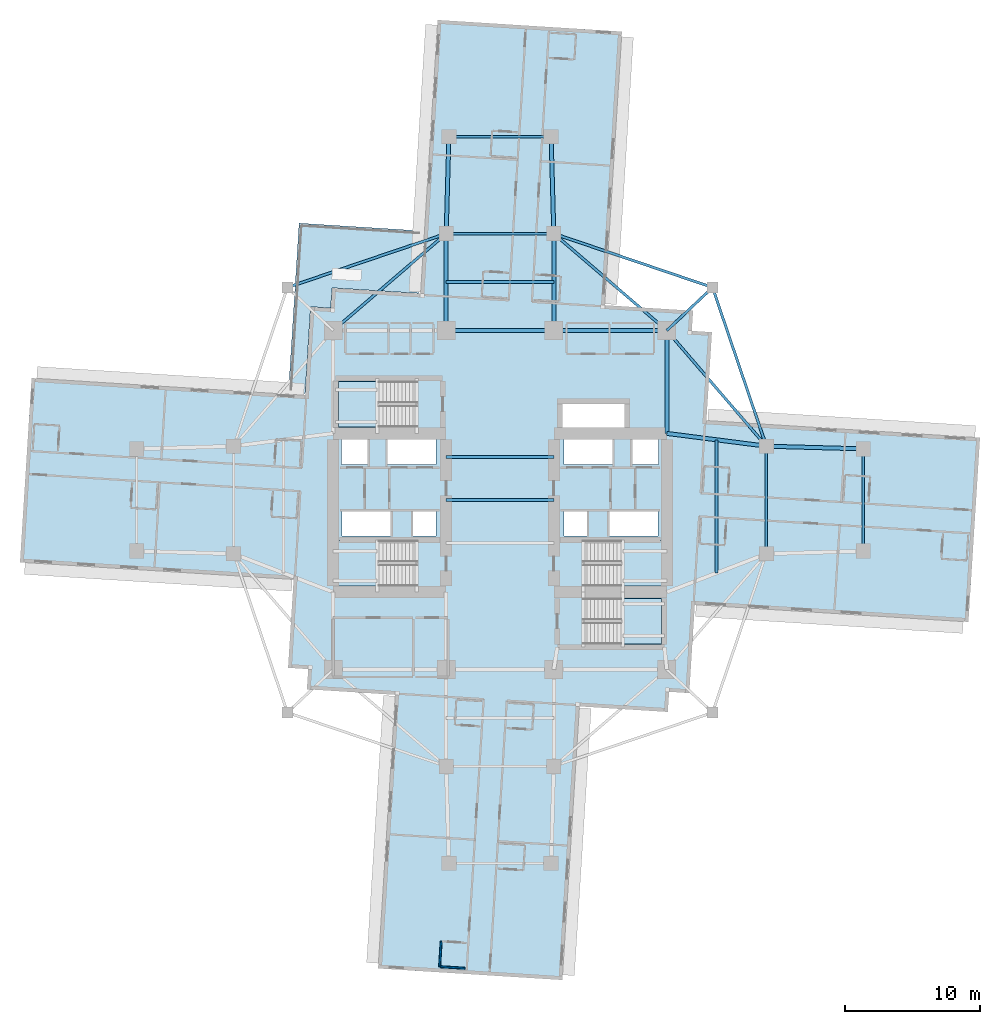
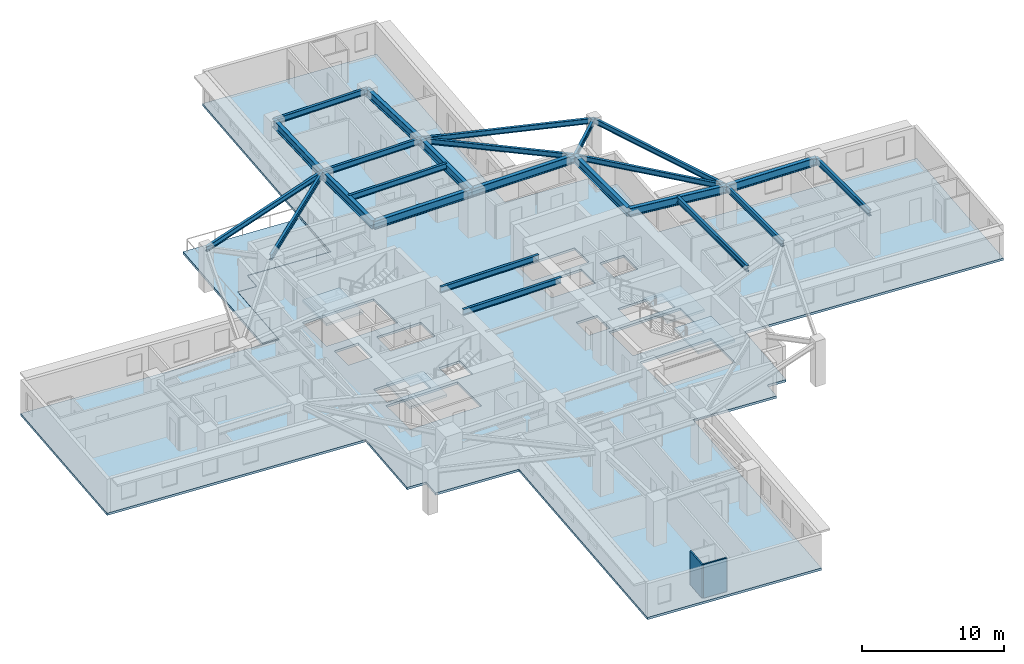
# One storey, part 2 of 14: 24 beams, 6 slabs, 2 walls, 4 elements without a shape of their own.
"""IFC4 building model written with IfcOpenShell, lengths in metres."""

from ifc_helpers import new_model, si_unit, direction, frame, frame_2d, origin, origin_2d, place, context, subcontext, project, spatial, polyline, rectangle, i_section, outline, extrude, material, layer, layer_set, material_profile, profile_set, type_object, element, aggregate, save


model = new_model("IFC4")

# Units and contexts
model_context = context("Model", 3, precision=1e-05, world=origin(), true_north=direction((0.0, 1.0)))
body_context = subcontext(model_context, "Body", "Model", "MODEL_VIEW")
ifc_project = project(units=[si_unit("LENGTHUNIT", "METRE"), si_unit("AREAUNIT", "SQUARE_METRE"), si_unit("VOLUMEUNIT", "CUBIC_METRE"), si_unit("PLANEANGLEUNIT", "RADIAN"), si_unit("MASSUNIT", "GRAM", prefix="KILO")], contexts=[model_context])

# Site, building, storey
site_placement = place(None, origin())
site = spatial("IfcSite", under=ifc_project, at=site_placement, CompositionType="ELEMENT")
building_placement = place(site_placement, origin())
building = spatial("IfcBuilding", under=site, at=building_placement, Name="Qingluan Cross Belvedere", CompositionType="ELEMENT")
storey_placement = place(building_placement, frame((0.0, 0.0, 87.300048828125)))
storey = spatial("IfcBuildingStorey", under=building, at=storey_placement, Name="L22", CompositionType="ELEMENT", Elevation=87.300048828125)

# Beams
ifc_material_1 = material(Name="Steel Q420GJB", Category="steel")
ifc_material_profile_1 = material_profile(ifc_material_1, i_section(OverallWidth=0.199951171875, OverallDepth=0.449951171875, WebThickness=0.009033203125, FlangeThickness=0.013916015625, FilletRadius=0.01611328125, at=origin_2d()), Name="HN450x200x9x14")
ifc_profile_set_1 = profile_set([ifc_material_profile_1], Name="Steel Q420GJB")
beam_type_1 = type_object("IfcBeamType", Name="Steel_Beam_HN450x200x9x14", PredefinedType="JOIST", material=ifc_profile_set_1)
beam_1_placement = place(storey_placement, frame((12.39990234375, 12.60009765625, 3.474853515625), z_axis=(0.728219948308, 0.685343495546, 0.0), x_axis=(-0.685343495546, 0.728219948308, 0.0)))
element("IfcBeam", 1, at=beam_1_placement, inside=storey, type_object=beam_type_1, Name="Corner beam 1 L22-RNE", PredefinedType="JOIST", context=body_context, shape_type="SweptSolid", body=[
    extrude(i_section(OverallWidth=0.199951171875, OverallDepth=0.449951171875, WebThickness=0.009033203125, FlangeThickness=0.013916015625, FilletRadius=0.01611328125, at=origin_2d()), origin(), (0.0, 0.0, 1.0), 4.669189453125),
])
for number, where, z_axis, x_axis, name in (
    (2, (15.800048828125, 15.800048828125, 3.474853515625), (-0.947066283324, 0.321038089628, 0.0), (-0.321038089628, -0.947066283324, 0.0), "Corner beam 2 L22-RNE"),
    (3, (15.800048828125, 15.800048828125, 3.474853515625), (0.321038089628, -0.947066283324, 0.0), (0.947066283324, 0.321038089628, 0.0), "Corner beam 3 L22-RNE"),
):
    element("IfcBeam", number, at=place(storey_placement, frame(where, z_axis=z_axis, x_axis=x_axis)), inside=storey, type_object=beam_type_1, Name=name, PredefinedType="JOIST", context=body_context, shape_type="SweptSolid", body=[
        extrude(i_section(OverallWidth=0.199951171875, OverallDepth=0.449951171875, WebThickness=0.009033203125, FlangeThickness=0.013916015625, FilletRadius=0.01611328125, at=origin_2d()), origin(), (0.0, 0.0, 1.0), 12.45947265625),
    ])
beam_2_placement = place(storey_placement, frame((12.39990234375, 12.60009765625, 3.474853515625), z_axis=(0.652245077546, -0.75800815221, 0.0), x_axis=(0.75800815221, 0.652245077546, 0.0)))
element("IfcBeam", 4, at=beam_2_placement, inside=storey, type_object=beam_type_1, Name="Corner beam 4 L22-RNE", PredefinedType="JOIST", context=body_context, shape_type="SweptSolid", body=[
    extrude(i_section(OverallWidth=0.199951171875, OverallDepth=0.449951171875, WebThickness=0.009033203125, FlangeThickness=0.013916015625, FilletRadius=0.01611328125, at=origin_2d()), origin(), (0.0, 0.0, 1.0), 11.345703125),
])
beam_3_placement = place(storey_placement, frame((12.39990234375, 12.60009765625, 3.474853515625), z_axis=(-0.759255044656, 0.650793190779, 0.0), x_axis=(-0.650793190779, -0.759255044656, 0.0)))
element("IfcBeam", 5, at=beam_3_placement, inside=storey, type_object=beam_type_1, Name="Corner beam 5 L22-RNE", PredefinedType="JOIST", context=body_context, shape_type="SweptSolid", body=[
    extrude(i_section(OverallWidth=0.199951171875, OverallDepth=0.449951171875, WebThickness=0.009033203125, FlangeThickness=0.013916015625, FilletRadius=0.01611328125, at=origin_2d()), origin(), (0.0, 0.0, 1.0), 11.063232421875),
])
beam_4_placement = place(storey_placement, frame((-15.800048828125, 15.800048828125, 3.454833984375), z_axis=(0.947066283324, 0.321038089628, 0.0), x_axis=(-0.321038089628, 0.947066283324, 0.0)))
element("IfcBeam", 6, at=beam_4_placement, inside=storey, type_object=beam_type_1, Name="Corner beam 2 L22-RNW", PredefinedType="JOIST", context=body_context, shape_type="SweptSolid", body=[
    extrude(i_section(OverallWidth=0.199951171875, OverallDepth=0.449951171875, WebThickness=0.009033203125, FlangeThickness=0.013916015625, FilletRadius=0.01611328125, at=origin_2d()), origin(), (0.0, 0.0, 1.0), 12.45947265625),
])
beam_5_placement = place(storey_placement, frame((-12.39990234375, 12.60009765625, 3.454833984375), z_axis=(0.759255044656, 0.650793190779, 0.0), x_axis=(-0.650793190779, 0.759255044656, 0.0)))
element("IfcBeam", 7, at=beam_5_placement, inside=storey, type_object=beam_type_1, Name="Corner beam 5 L22-RNW", PredefinedType="JOIST", context=body_context, shape_type="SweptSolid", body=[
    extrude(i_section(OverallWidth=0.199951171875, OverallDepth=0.449951171875, WebThickness=0.009033203125, FlangeThickness=0.013916015625, FilletRadius=0.01611328125, at=origin_2d()), origin(), (0.0, 0.0, 1.0), 11.063232421875),
])
ifc_material_2 = material(Name="Steel Q420GJB", Category="steel")
ifc_material_profile_2 = material_profile(ifc_material_2, i_section(OverallWidth=0.199951171875, OverallDepth=0.5, WebThickness=0.010009765625, FlangeThickness=0.01611328125, FilletRadius=0.01611328125, at=origin_2d()), Name="HN500x200x10x16")
ifc_profile_set_2 = profile_set([ifc_material_profile_2], Name="Steel Q420GJB")
beam_type_2 = type_object("IfcBeamType", Name="Steel_Beam_HN500x200x10x16", PredefinedType="JOIST", material=ifc_profile_set_2)
for number, where, z_axis, x_axis, name in (
    (8, (-4.0, 0.0, 3.449951171875), (1.0, 0.0, 0.0), (0.0, 1.0, 0.0), "Hall beam L22-CH2"),
    (9, (-4.0, 3.199951171875, 3.449951171875), (1.0, 0.0, 0.0), (0.0, 1.0, 0.0), "Hall beam L22-CH3"),
    (10, (19.800048828125, -4.0, 3.449951171875), (0.0, 1.0, 0.0), (-1.0, 0.0, 0.0), "Arm E tie L22"),
):
    element("IfcBeam", number, at=place(storey_placement, frame(where, z_axis=z_axis, x_axis=x_axis)), inside=storey, type_object=beam_type_2, Name=name, PredefinedType="JOIST", context=body_context, shape_type="SweptSolid", body=[
        extrude(i_section(OverallWidth=0.199951171875, OverallDepth=0.5, WebThickness=0.010009765625, FlangeThickness=0.01611328125, FilletRadius=0.01611328125, at=origin_2d()), origin(), (0.0, 0.0, 1.0), 8.0),
    ])
beam_6_placement = place(storey_placement, frame((16.10009765625, -5.425048828125, 3.449951171875), z_axis=(0.0, 1.0, 0.0), x_axis=(-1.0, 0.0, 0.0)))
element("IfcBeam", 11, at=beam_6_placement, inside=storey, type_object=beam_type_2, Name="Arm E beam L22", PredefinedType="JOIST", context=body_context, shape_type="SweptSolid", body=[
    extrude(i_section(OverallWidth=0.199951171875, OverallDepth=0.5, WebThickness=0.010009765625, FlangeThickness=0.01611328125, FilletRadius=0.01611328125, at=origin_2d()), origin(), (0.0, 0.0, 1.0), 9.900146484375),
])
beam_7_placement = place(storey_placement, frame((27.0, -3.800048828125, 3.449951171875), z_axis=(0.0, 1.0, 0.0), x_axis=(-1.0, 0.0, 0.0)))
element("IfcBeam", 12, at=beam_7_placement, inside=storey, type_object=beam_type_2, Name="Arm E tip transverse beam L22", PredefinedType="JOIST", context=body_context, shape_type="SweptSolid", body=[
    extrude(i_section(OverallWidth=0.199951171875, OverallDepth=0.5, WebThickness=0.010009765625, FlangeThickness=0.01611328125, FilletRadius=0.01611328125, at=origin_2d()), origin(), (0.0, 0.0, 1.0), 7.60009765625),
])
for number, where, z_axis, x_axis, name in (
    (13, (-4.0, 19.800048828125, 3.449951171875), (1.0, 0.0, 0.0), (0.0, 1.0, 0.0), "Arm N tie L22"),
    (14, (-4.0, 16.199951171875, 3.449951171875), (1.0, 0.0, 0.0), (0.0, 1.0, 0.0), "Arm N beam L22"),
):
    element("IfcBeam", number, at=place(storey_placement, frame(where, z_axis=z_axis, x_axis=x_axis)), inside=storey, type_object=beam_type_2, Name=name, PredefinedType="JOIST", context=body_context, shape_type="SweptSolid", body=[
        extrude(i_section(OverallWidth=0.199951171875, OverallDepth=0.5, WebThickness=0.010009765625, FlangeThickness=0.01611328125, FilletRadius=0.01611328125, at=origin_2d()), origin(), (0.0, 0.0, 1.0), 8.0),
    ])
beam_8_placement = place(storey_placement, frame((-3.800048828125, 27.0, 3.449951171875), z_axis=(1.0, 0.0, 0.0), x_axis=(0.0, 1.0, 0.0)))
element("IfcBeam", 15, at=beam_8_placement, inside=storey, type_object=beam_type_2, Name="Arm N tip transverse beam L22", PredefinedType="JOIST", context=body_context, shape_type="SweptSolid", body=[
    extrude(i_section(OverallWidth=0.199951171875, OverallDepth=0.5, WebThickness=0.010009765625, FlangeThickness=0.01611328125, FilletRadius=0.01611328125, at=origin_2d()), origin(), (0.0, 0.0, 1.0), 7.60009765625),
])
ifc_material_3 = material(Name="Steel Q420GJB", Category="steel")
ifc_material_profile_3 = material_profile(ifc_material_3, i_section(OverallWidth=0.300048828125, OverallDepth=0.699951171875, WebThickness=0.014892578125, FlangeThickness=0.027099609375, FilletRadius=0.027099609375, at=origin_2d()), Name="HEB700")
ifc_profile_set_3 = profile_set([ifc_material_profile_3], Name="Steel Q420GJB")
beam_type_3 = type_object("IfcBeamType", Name="Steel_Girder_HEB700", PredefinedType="USERDEFINED", material=ifc_profile_set_3)
beam_9_placement = place(storey_placement, frame((-4.0, 12.60009765625, 3.349853515625), z_axis=(1.0, 0.0, 0.0), x_axis=(0.0, 1.0, 0.0)))
element("IfcBeam", 16, at=beam_9_placement, inside=storey, type_object=beam_type_3, Name="Hub girder L22-HG-N2", ObjectType="GIRDER", PredefinedType="USERDEFINED", context=body_context, shape_type="SweptSolid", body=[
    extrude(i_section(OverallWidth=0.300048828125, OverallDepth=0.699951171875, WebThickness=0.014892578125, FlangeThickness=0.027099609375, FilletRadius=0.027099609375, at=origin_2d()), origin(), (0.0, 0.0, 1.0), 8.0),
])
beam_10_placement = place(storey_placement, frame((4.0, 12.60009765625, 3.349853515625), z_axis=(1.0, 0.0, 0.0), x_axis=(0.0, 1.0, 0.0)))
element("IfcBeam", 17, at=beam_10_placement, inside=storey, type_object=beam_type_3, Name="Hub girder L22-HG-N3", ObjectType="GIRDER", PredefinedType="USERDEFINED", context=body_context, shape_type="SweptSolid", body=[
    extrude(i_section(OverallWidth=0.300048828125, OverallDepth=0.699951171875, WebThickness=0.014892578125, FlangeThickness=0.027099609375, FilletRadius=0.027099609375, at=origin_2d()), origin(), (0.0, 0.0, 1.0), 8.39990234375),
])
beam_11_placement = place(storey_placement, frame((12.39990234375, 4.949951171875, 3.349853515625), z_axis=(0.0, 1.0, 0.0), x_axis=(-1.0, 0.0, 0.0)))
element("IfcBeam", 18, at=beam_11_placement, inside=storey, type_object=beam_type_3, Name="Hub girder L22-HG-E2", ObjectType="GIRDER", PredefinedType="USERDEFINED", context=body_context, shape_type="SweptSolid", body=[
    extrude(i_section(OverallWidth=0.300048828125, OverallDepth=0.699951171875, WebThickness=0.014892578125, FlangeThickness=0.027099609375, FilletRadius=0.027099609375, at=origin_2d()), origin(), (0.0, 0.0, 1.0), 7.650146484375),
])
beam_12_placement = place(storey_placement, frame((12.39990234375, 4.949951171875, 3.349853515625), z_axis=(0.991861120628, -0.12732445714, 0.0), x_axis=(0.12732445714, 0.991861120628, 0.0)))
element("IfcBeam", 19, at=beam_12_placement, inside=storey, type_object=beam_type_3, Name="Arm E radial girder B L22", ObjectType="GIRDER", PredefinedType="USERDEFINED", context=body_context, shape_type="SweptSolid", body=[
    extrude(i_section(OverallWidth=0.300048828125, OverallDepth=0.699951171875, WebThickness=0.014892578125, FlangeThickness=0.027099609375, FilletRadius=0.027099609375, at=origin_2d()), origin(), (0.0, 0.0, 1.0), 7.4609375),
])
beam_13_placement = place(storey_placement, frame((19.800048828125, 4.0, 3.349853515625), z_axis=(0.999614603568, -0.027760481514, 0.0), x_axis=(0.027760481514, 0.999614603568, 0.0)))
element("IfcBeam", 20, at=beam_13_placement, inside=storey, type_object=beam_type_3, Name="Arm E outer radial girder B L22", ObjectType="GIRDER", PredefinedType="USERDEFINED", context=body_context, shape_type="SweptSolid", body=[
    extrude(i_section(OverallWidth=0.300048828125, OverallDepth=0.699951171875, WebThickness=0.014892578125, FlangeThickness=0.027099609375, FilletRadius=0.027099609375, at=origin_2d()), origin(), (0.0, 0.0, 1.0), 7.20263671875),
])
for number, where, z_axis, x_axis, name in (
    (21, (-4.0, 12.60009765625, 3.349853515625), (0.0, 1.0, 0.0), (-1.0, 0.0, 0.0), "Arm N radial girder A L22"),
    (22, (4.0, 12.60009765625, 3.349853515625), (0.0, 1.0, 0.0), (-1.0, 0.0, 0.0), "Arm N radial girder B L22"),
):
    element("IfcBeam", number, at=place(storey_placement, frame(where, z_axis=z_axis, x_axis=x_axis)), inside=storey, type_object=beam_type_3, Name=name, ObjectType="GIRDER", PredefinedType="USERDEFINED", context=body_context, shape_type="SweptSolid", body=[
        extrude(i_section(OverallWidth=0.300048828125, OverallDepth=0.699951171875, WebThickness=0.014892578125, FlangeThickness=0.027099609375, FilletRadius=0.027099609375, at=origin_2d()), origin(), (0.0, 0.0, 1.0), 7.199951171875),
    ])
for number, where, z_axis, x_axis, name in (
    (23, (-4.0, 19.800048828125, 3.349853515625), (0.027760481514, 0.999614603568, 0.0), (-0.999614603568, 0.027760481514, 0.0), "Arm N outer radial girder A L22"),
    (24, (4.0, 19.800048828125, 3.349853515625), (-0.027760481514, 0.999614603568, 0.0), (-0.999614603568, -0.027760481514, 0.0), "Arm N outer radial girder B L22"),
):
    element("IfcBeam", number, at=place(storey_placement, frame(where, z_axis=z_axis, x_axis=x_axis)), inside=storey, type_object=beam_type_3, Name=name, ObjectType="GIRDER", PredefinedType="USERDEFINED", context=body_context, shape_type="SweptSolid", body=[
        extrude(i_section(OverallWidth=0.300048828125, OverallDepth=0.699951171875, WebThickness=0.014892578125, FlangeThickness=0.027099609375, FilletRadius=0.027099609375, at=origin_2d()), origin(), (0.0, 0.0, 1.0), 7.20263671875),
    ])

# Slab
ifc_material_4 = material(Name="Concrete C40", Category="concrete")
ifc_layer_1 = layer(ifc_material_4, 0.199951171875, Name="FloorSlab_200")
ifc_layer_set_1 = layer_set([ifc_layer_1], Name="Concrete C40")
slab_type_1 = type_object("IfcSlabType", Name="FloorSlab_200", PredefinedType="FLOOR", material=ifc_layer_set_1)
slab_1_placement = place(storey_placement, frame((0.0, 0.0, -0.199951171875)))
element("IfcSlab", 25, at=slab_1_placement, inside=storey, type_object=slab_type_1, Name="Structural floor slab L22", PredefinedType="FLOOR", context=body_context, shape_type="SweptSolid", body=[
    extrude(outline(polyline([(4.628662109375, -35.680908203125), (5.908447265625, -15.34130859375), (12.475341796875, -15.75439453125), (12.569580078125, -14.25732421875), (14.066650390625, -14.3515625), (14.479736328125, -7.78466796875), (34.819580078125, -9.064208984375), (35.680908203125, 4.628662109375), (15.34130859375, 5.908447265625), (15.75439453125, 12.475341796875), (14.25732421875, 12.569580078125), (14.3515625, 14.066650390625), (7.78466796875, 14.479736328125), (9.064208984375, 34.819580078125), (-4.628662109375, 35.680908203125), (-5.908447265625, 15.34130859375), (-12.475341796875, 15.75439453125), (-12.569580078125, 14.25732421875), (-14.066650390625, 14.3515625), (-14.479736328125, 7.78466796875), (-34.819580078125, 9.064208984375), (-35.680908203125, -4.628662109375), (-15.34130859375, -5.908447265625), (-15.75439453125, -12.475341796875), (-14.25732421875, -12.569580078125), (-14.3515625, -14.066650390625), (-7.78466796875, -14.479736328125), (-9.064208984375, -34.819580078125), (4.628662109375, -35.680908203125)]), holes=[polyline([(-12.0, -3.0), (-6.179931640625, -3.0), (-6.179931640625, -6.39990234375), (-12.0, -6.39990234375), (-12.0, -3.0)]), polyline([(6.179931640625, -3.0), (12.0, -3.0), (12.0, -6.39990234375), (6.179931640625, -6.39990234375), (6.179931640625, -3.0)]), polyline([(-12.0, 8.820068359375), (-6.179931640625, 8.820068359375), (-6.179931640625, 5.419921875), (-12.0, 5.419921875), (-12.0, 8.820068359375)]), polyline([(6.179931640625, -7.320068359375), (12.0, -7.320068359375), (12.0, -10.719970703125), (6.179931640625, -10.719970703125), (6.179931640625, -7.320068359375)]), polyline([(-11.800048828125, 4.64990234375), (-9.85009765625, 4.64990234375), (-9.85009765625, 2.64990234375), (-11.800048828125, 2.64990234375), (-11.800048828125, 4.64990234375)]), polyline([(-8.35009765625, 4.64990234375), (-4.75, 4.64990234375), (-4.75, 2.64990234375), (-8.35009765625, 2.64990234375), (-8.35009765625, 4.64990234375)]), polyline([(4.75, 4.64990234375), (8.35009765625, 4.64990234375), (8.35009765625, 2.64990234375), (4.75, 2.64990234375), (4.75, 4.64990234375)]), polyline([(9.85009765625, 4.64990234375), (11.800048828125, 4.64990234375), (11.800048828125, 2.64990234375), (9.85009765625, 2.64990234375), (9.85009765625, 4.64990234375)]), polyline([(-11.75, -0.840087890625), (-8.14990234375, -0.840087890625), (-8.14990234375, -2.659912109375), (-11.75, -2.659912109375), (-11.75, -0.840087890625)]), polyline([(-6.449951171875, -0.840087890625), (-4.75, -0.840087890625), (-4.75, -2.659912109375), (-6.449951171875, -2.659912109375), (-6.449951171875, -0.840087890625)]), polyline([(4.75, -0.840087890625), (6.449951171875, -0.840087890625), (6.449951171875, -2.659912109375), (4.75, -2.659912109375), (4.75, -0.840087890625)]), polyline([(8.14990234375, -0.840087890625), (11.75, -0.840087890625), (11.75, -2.659912109375), (8.14990234375, -2.659912109375), (8.14990234375, -0.840087890625)]), polyline([(4.64990234375, 7.14990234375), (9.25, 7.14990234375), (9.25, 5.14990234375), (4.64990234375, 5.14990234375), (4.64990234375, 7.14990234375)])]), origin(), (0.0, 0.0, 1.0), 0.199951171875),
])

# Stair, slab
ifc_material_5 = material(Name="Concrete C40", Category="concrete")
stair_type = type_object("IfcStairType", Name="CoreDoglegStair_1620", PredefinedType="HALF_TURN_STAIR", material=ifc_material_5)
stair_1_placement = place(storey_placement, origin())
stair_1 = element("IfcStair", 26, at=stair_1_placement, inside=storey, type_object=stair_type, Name="L22 ST1", PredefinedType="HALF_TURN_STAIR")
ifc_material_6 = material(Name="Concrete C40", Category="concrete")
ifc_layer_2 = layer(ifc_material_6, 0.179931640625, Name="StairLandingSlab_180")
ifc_layer_set_2 = layer_set([ifc_layer_2], Name="Concrete C40")
slab_type_2 = type_object("IfcSlabType", Name="StairLandingSlab_180", PredefinedType="LANDING", material=ifc_layer_set_2)
slab_2_placement = place(storey_placement, frame((0.0, 0.0, 1.75)))
slab_2 = element("IfcSlab", 27, at=slab_2_placement, type_object=slab_type_2, Name="ST1 landing 1", PredefinedType="LANDING", context=body_context, shape_type="SweptSolid", body=[
    extrude(outline(polyline([(-8.97998046875, -3.0), (-12.0, -3.0), (-12.0, -6.39990234375), (-8.97998046875, -6.39990234375), (-8.97998046875, -3.0)])), origin(), (0.0, 0.0, 1.0), 0.199951171875),
])
aggregate(stair_1, [slab_2])

stair_2_placement = place(storey_placement, origin())
stair_2 = element("IfcStair", 28, at=stair_2_placement, inside=storey, type_object=stair_type, Name="L22 ST2", PredefinedType="HALF_TURN_STAIR")
slab_3_placement = place(storey_placement, frame((0.0, 0.0, 1.75)))
slab_3 = element("IfcSlab", 29, at=slab_3_placement, type_object=slab_type_2, Name="ST2 landing 1", PredefinedType="LANDING", context=body_context, shape_type="SweptSolid", body=[
    extrude(outline(polyline([(8.97998046875, -6.39990234375), (12.0, -6.39990234375), (12.0, -3.0), (8.97998046875, -3.0), (8.97998046875, -6.39990234375)])), origin(), (0.0, 0.0, 1.0), 0.199951171875),
])
aggregate(stair_2, [slab_3])

stair_3_placement = place(storey_placement, origin())
stair_3 = element("IfcStair", 30, at=stair_3_placement, inside=storey, type_object=stair_type, Name="L22 ST3", PredefinedType="HALF_TURN_STAIR")
slab_4_placement = place(storey_placement, frame((0.0, 0.0, 1.75)))
slab_4 = element("IfcSlab", 31, at=slab_4_placement, type_object=slab_type_2, Name="ST3 landing 1", PredefinedType="LANDING", context=body_context, shape_type="SweptSolid", body=[
    extrude(outline(polyline([(-8.97998046875, 8.820068359375), (-12.0, 8.820068359375), (-12.0, 5.419921875), (-8.97998046875, 5.419921875), (-8.97998046875, 8.820068359375)])), origin(), (0.0, 0.0, 1.0), 0.199951171875),
])
aggregate(stair_3, [slab_4])

stair_4_placement = place(storey_placement, origin())
stair_4 = element("IfcStair", 32, at=stair_4_placement, inside=storey, type_object=stair_type, Name="L22 ST4", PredefinedType="HALF_TURN_STAIR")
slab_5_placement = place(storey_placement, frame((0.0, 0.0, 1.75)))
slab_5 = element("IfcSlab", 33, at=slab_5_placement, type_object=slab_type_2, Name="ST4 landing 1", PredefinedType="LANDING", context=body_context, shape_type="SweptSolid", body=[
    extrude(outline(polyline([(8.97998046875, -10.719970703125), (12.0, -10.719970703125), (12.0, -7.320068359375), (8.97998046875, -7.320068359375), (8.97998046875, -10.719970703125)])), origin(), (0.0, 0.0, 1.0), 0.199951171875),
])
aggregate(stair_4, [slab_5])

# Slab
ifc_material_7 = material(Name="Concrete C40", Category="concrete")
ifc_layer_3 = layer(ifc_material_7, 0.219970703125, Name="TerraceSlab_220")
ifc_layer_set_3 = layer_set([ifc_layer_3], Name="Concrete C40")
slab_type_3 = type_object("IfcSlabType", Name="TerraceSlab_220", PredefinedType="FLOOR", material=ifc_layer_set_3)
slab_6_placement = place(storey_placement, frame((0.0, 0.0, -0.219970703125)))
element("IfcSlab", 34, at=slab_6_placement, inside=storey, type_object=slab_type_3, Name="Spiralling winter-garden terrace slab L22", PredefinedType="FLOOR", context=body_context, shape_type="SweptSolid", body=[
    extrude(outline(polyline([(-14.48095703125, 7.9248046875), (-14.07470703125, 14.357666015625), (-12.578857421875, 14.26806640625), (-12.4853515625, 15.755126953125), (-12.476806640625, 15.764404296875), (-6.047607421875, 15.360107421875), (-5.755615234375, 20.0009765625), (-14.937255859375, 20.57861328125), (-15.728515625, 8.00341796875), (-14.48095703125, 7.9248046875)])), origin(), (0.0, 0.0, 1.0), 0.219970703125),
])

# Walls
ifc_material_8 = material(Name="Moisture-resistant gypsum board lining")
ifc_layer_4 = layer(ifc_material_8, 0.1201171875, Name="EnsuiteWetPartition_120")
ifc_layer_set_4 = layer_set([ifc_layer_4], Name="Moisture-resistant gypsum board lining")
wall_type = type_object("IfcWallType", Name="EnsuiteWetPartition_120", PredefinedType="PARTITIONING", material=ifc_layer_set_4)
wall_1_placement = place(storey_placement, frame((-4.427001953125, -34.6904296875, 0.0), z_axis=(0.0, 0.0, 1.0), x_axis=(0.998027443946, -0.062779145668, 0.0)))
element("IfcWall", 35, at=wall_1_placement, inside=storey, type_object=wall_type, Name="Partition L22:S:bw1_1", PredefinedType="PARTITIONING", context=body_context, shape_type="SweptSolid", body=[
    extrude(rectangle(XDim=1.820068359375, YDim=0.1201171875, at=frame_2d((0.91015625, 0.0))), origin(), (0.0, 0.0, 1.0), 2.89990234375),
])
wall_2_placement = place(storey_placement, frame((-4.373779296875, -32.81005859375, 0.0), z_axis=(0.0, 0.0, 1.0), x_axis=(-0.062725942896, -0.998030789148, 0.0)))
element("IfcWall", 36, at=wall_2_placement, inside=storey, type_object=wall_type, Name="Partition L22:S:bc1_1", PredefinedType="PARTITIONING", context=body_context, shape_type="SweptSolid", body=[
    extrude(rectangle(XDim=1.8798828125, YDim=0.1201171875, at=frame_2d((0.93994140625, 0.0))), origin(), (0.0, 0.0, 1.0), 2.89990234375),
])

save(model, "model.ifc")
